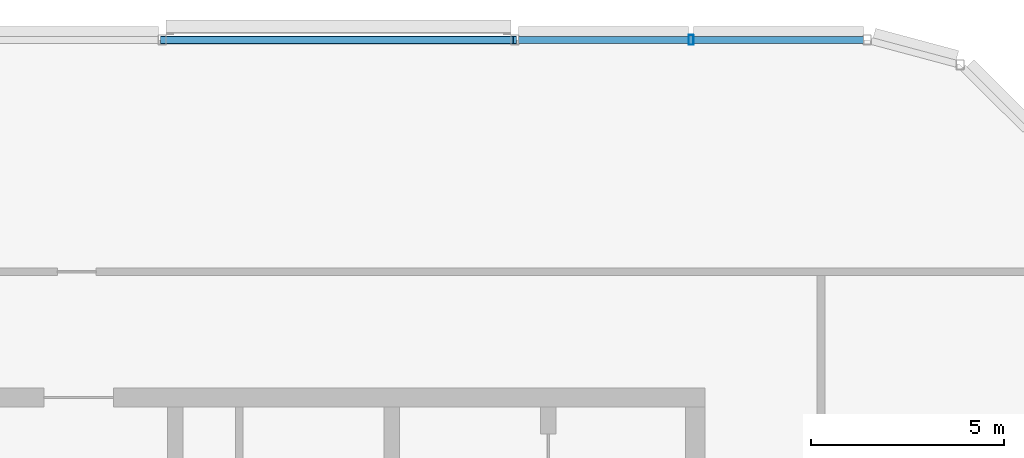
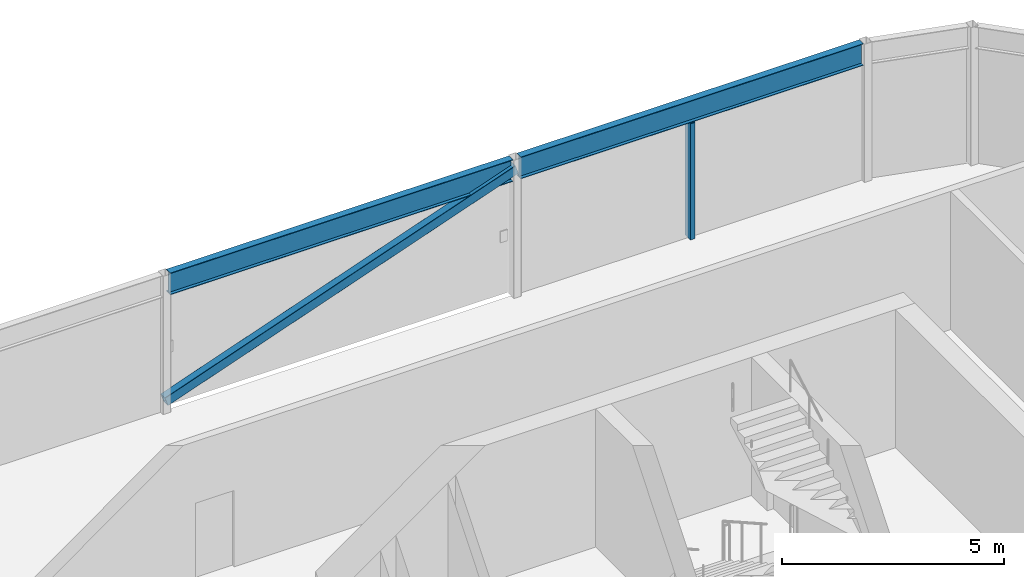
# One storey, part 13 of 28: 2 beams, 2 members.
"""IFC4 building model written with IfcOpenShell, lengths in metres."""

from ifc_helpers import new_model, si_unit, direction, frame, origin, origin_2d, place, context, subcontext, project, spatial, hollow_rectangle, i_section, extrude, material, material_profile, profile_set, type_object, element, save


model = new_model("IFC4")

# Units and contexts
model_context = context("Model", 3, precision=1e-05, world=origin(), true_north=direction((0.0, 1.0)))
body_context = subcontext(model_context, "Body", "Model", "MODEL_VIEW")
ifc_project = project(units=[si_unit("LENGTHUNIT", "METRE"), si_unit("AREAUNIT", "SQUARE_METRE"), si_unit("VOLUMEUNIT", "CUBIC_METRE"), si_unit("PLANEANGLEUNIT", "RADIAN"), si_unit("MASSUNIT", "GRAM", prefix="KILO")], contexts=[model_context])

# Site, building, storey
site_placement = place(None, origin())
site = spatial("IfcSite", under=ifc_project, at=site_placement, CompositionType="ELEMENT")
building_placement = place(site_placement, origin())
building = spatial("IfcBuilding", under=site, at=building_placement, Name="Madar Terraces", CompositionType="ELEMENT")
storey_placement = place(building_placement, frame((0.0, 0.0, 305.89990234375)))
storey = spatial("IfcBuildingStorey", under=building, at=storey_placement, Name="L79", CompositionType="ELEMENT", Elevation=305.89990234375)

# Beams
ifc_material_1 = material(Name="Steel ASTM A992 Grade 50", Category="steel")
ifc_material_profile_1 = material_profile(ifc_material_1, i_section(OverallWidth=0.1787109375, OverallDepth=0.60205078125, WebThickness=0.010986328125, FlangeThickness=0.014892578125, at=origin_2d()), Name="W24x62")
ifc_profile_set_1 = profile_set([ifc_material_profile_1], Name="Steel ASTM A992 Grade 50")
beam_type = type_object("IfcBeamType", Name="CF2 W24x62", PredefinedType="BEAM", material=ifc_profile_set_1)
for number, where, z_axis, x_axis, name in (
    (1, (51.498291015625, 46.800048828125, 3.4990234375), (-1.0, 0.0, 0.0), (0.0, -1.0, 0.0), "Crown frame ring beam CF2"),
    (2, (42.37841796875, 46.800048828125, 3.4990234375), (-1.0, 0.0, 0.0), (0.0, -1.0, 0.0), "Crown frame ring beam CF2"),
):
    element("IfcBeam", number, at=place(storey_placement, frame(where, z_axis=z_axis, x_axis=x_axis)), inside=storey, type_object=beam_type, Name=name, PredefinedType="BEAM", context=body_context, shape_type="SweptSolid", body=[
        extrude(i_section(OverallWidth=0.1787109375, OverallDepth=0.60205078125, WebThickness=0.010986328125, FlangeThickness=0.014892578125, at=origin_2d()), origin(), (0.0, 0.0, 1.0), 8.916748046875),
    ])

# Members
ifc_material_2 = material(Name="Steel ASTM A500 Grade C", Category="steel")
ifc_material_profile_2 = material_profile(ifc_material_2, hollow_rectangle(XDim=0.203125, YDim=0.25390625, WallThickness=0.009521484375, InnerFilletRadius=0.00439453125, OuterFilletRadius=0.01318359375, at=origin_2d()), Name="HSS10x8x.375")
ifc_profile_set_2 = profile_set([ifc_material_profile_2], Name="Steel ASTM A500 Grade C")
member_type_1 = type_object("IfcMemberType", Name="CF5 crown frame brace HSS10x8x.375", PredefinedType="BRACE", material=ifc_profile_set_2)
member_1_placement = place(storey_placement, frame((42.47998046875, 46.800048828125, 3.4990234375), z_axis=(-0.943631684093, 0.0, -0.330997348593), x_axis=(0.0, -1.0, 0.0)))
element("IfcMember", 3, at=member_1_placement, inside=storey, type_object=member_type_1, Name="Crown frame brace CF5", PredefinedType="BRACE", context=body_context, shape_type="SweptSolid", body=[
    extrude(hollow_rectangle(XDim=0.203125, YDim=0.25390625, WallThickness=0.009521484375, InnerFilletRadius=0.00439453125, OuterFilletRadius=0.01318359375, at=origin_2d()), origin(), (0.0, 0.0, 1.0), 9.66455078125),
])
ifc_material_3 = material(Name="Steel ASTM A500 Grade C", Category="steel")
ifc_material_profile_3 = material_profile(ifc_material_3, hollow_rectangle(XDim=0.126953125, YDim=0.25390625, WallThickness=0.00634765625, InnerFilletRadius=0.0029296875, OuterFilletRadius=0.0087890625, at=origin_2d()), Name="HSS10x5x.25")
ifc_profile_set_3 = profile_set([ifc_material_profile_3], Name="Steel ASTM A500 Grade C")
member_type_2 = type_object("IfcMemberType", Name="LS2 HSS10x5x.25", PredefinedType="POST", material=ifc_profile_set_3)
member_2_placement = place(storey_placement, frame((47.0400390625, 46.800048828125, 0.0), z_axis=(0.0, 0.0, 1.0), x_axis=(-1.0, 0.0, 0.0)))
element("IfcMember", 4, at=member_2_placement, inside=storey, type_object=member_type_2, Name="Crown louvre post LS2", PredefinedType="POST", context=body_context, shape_type="SweptSolid", body=[
    extrude(hollow_rectangle(XDim=0.126953125, YDim=0.25390625, WallThickness=0.00634765625, InnerFilletRadius=0.0029296875, OuterFilletRadius=0.0087890625, at=origin_2d()), origin(), (0.0, 0.0, 1.0), 3.197998046875),
])

save(model, "model.ifc")
